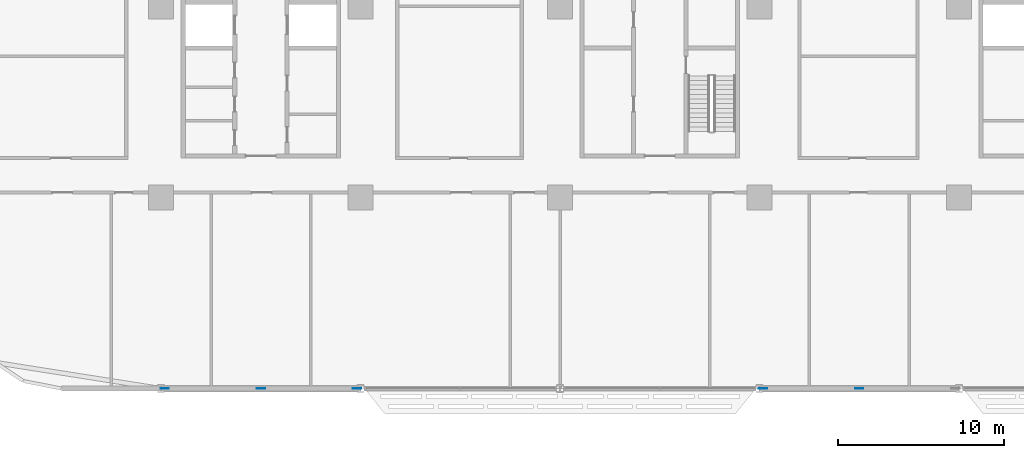
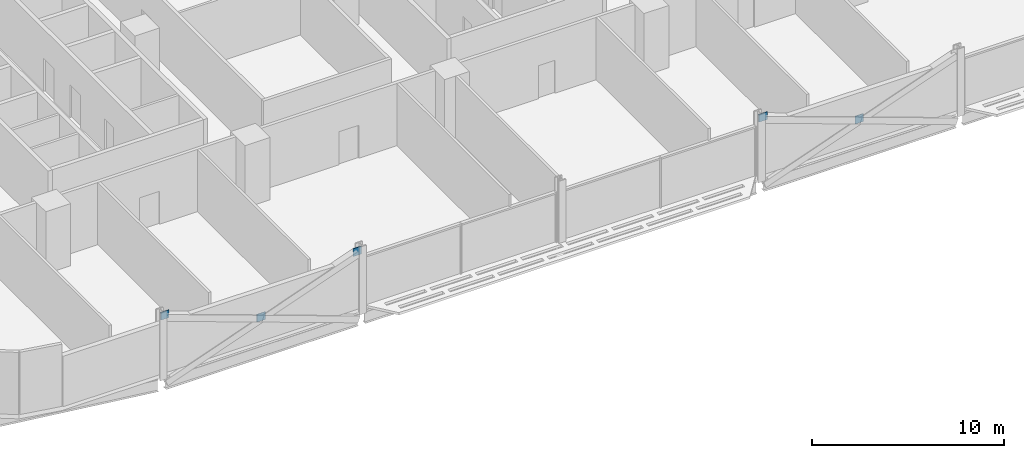
# One storey, part 19 of 29: 5 discrete accessories.
"""IFC4 building model written with IfcOpenShell, lengths in metres."""

from ifc_helpers import new_model, si_unit, direction, frame, origin, origin_2d, place, context, subcontext, project, spatial, rectangle, extrude, material, layer, layer_set, type_object, element, save


model = new_model("IFC4")

# Units and contexts
model_context = context("Model", 3, precision=1e-05, world=origin(), true_north=direction((0.0, 1.0)))
body_context = subcontext(model_context, "Body", "Model", "MODEL_VIEW")
ifc_project = project(units=[si_unit("LENGTHUNIT", "METRE"), si_unit("AREAUNIT", "SQUARE_METRE"), si_unit("VOLUMEUNIT", "CUBIC_METRE"), si_unit("PLANEANGLEUNIT", "RADIAN"), si_unit("MASSUNIT", "GRAM", prefix="KILO")], contexts=[model_context])

# Site, building, storey
site_placement = place(None, origin())
site = spatial("IfcSite", under=ifc_project, at=site_placement, CompositionType="ELEMENT")
building_placement = place(site_placement, origin())
building = spatial("IfcBuilding", under=site, at=building_placement, Name="Mahtab Terrace Research Tower", CompositionType="ELEMENT")
storey_placement = place(building_placement, frame((0.0, 0.0, 71.800048828125)))
storey = spatial("IfcBuildingStorey", under=building, at=storey_placement, Name="L16", CompositionType="ELEMENT", Elevation=71.800048828125)

# Discrete accessories
ifc_material = material(Name="Steel ASTM A992 Gr 50", Category="steel")
ifc_layer = layer(ifc_material, 0.030029296875)
ifc_layer_set = layer_set([ifc_layer], Name="Gusset plate 500x500x30")
discrete_accessory_type = type_object("IfcDiscreteAccessoryType", Name="Gusset plate 500x500x30", PredefinedType="USERDEFINED", material=ifc_layer_set)
for number, where, z_axis, x_axis, name in (
    (1, (-29.787841796875, -23.0, 3.32958984375), (0.0, 0.0, 1.0), (1.0, 0.0, 0.0), "Gusset plate"),
    (2, (-24.0, -23.0, 1.181396484375), (0.0, 0.0, 1.0), (1.0, 0.0, 0.0), "Gusset plate"),
    (3, (-18.212158203125, -23.0, 3.32958984375), (0.0, 0.0, 1.0), (1.0, 0.0, 0.0), "Gusset plate"),
    (4, (6.212158203125, -23.0, 3.32958984375), (0.0, 0.0, 1.0), (1.0, 0.0, 0.0), "Gusset plate"),
    (5, (12.0, -23.0, 1.181396484375), (0.0, 0.0, 1.0), (1.0, 0.0, 0.0), "Gusset plate"),
):
    element("IfcDiscreteAccessory", number, at=place(storey_placement, frame(where, z_axis=z_axis, x_axis=x_axis)), inside=storey, type_object=discrete_accessory_type, Name=name, ObjectType="GUSSET PLATE", PredefinedType="USERDEFINED", context=body_context, shape_type="SweptSolid", body=[
        extrude(rectangle(XDim=0.5, YDim=0.030029296875, at=origin_2d()), origin(), (0.0, 0.0, 1.0), 0.5),
    ])

save(model, "model.ifc")
